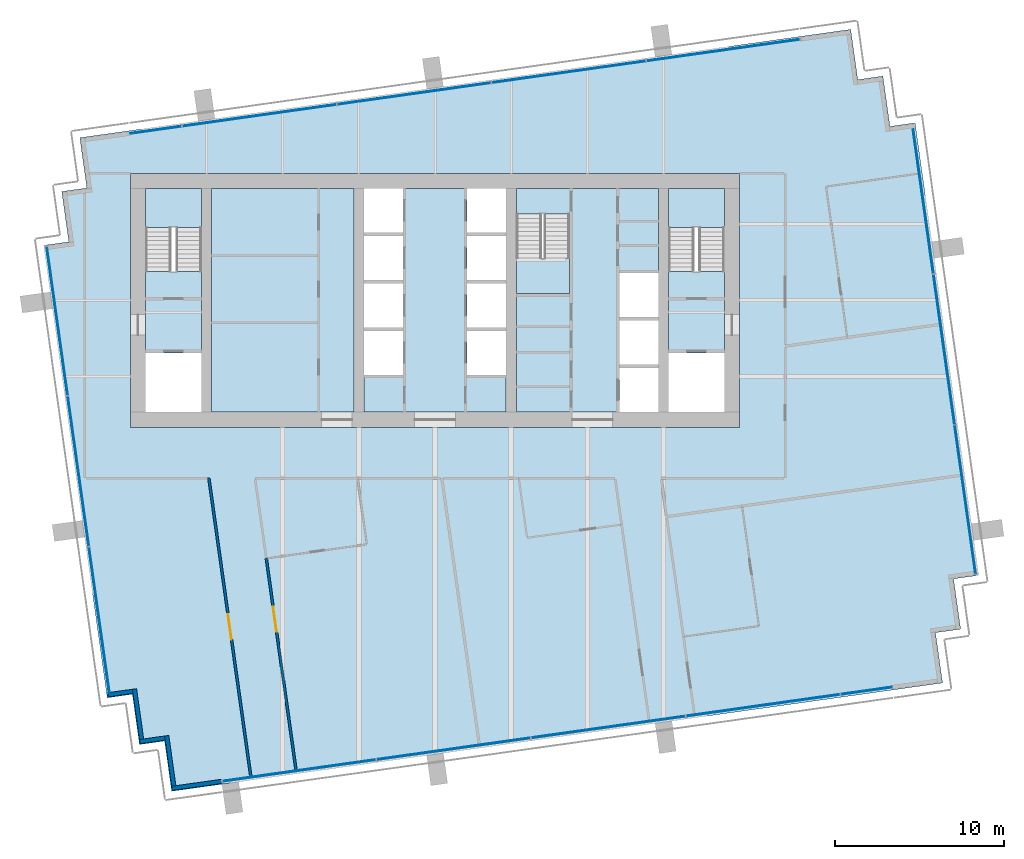
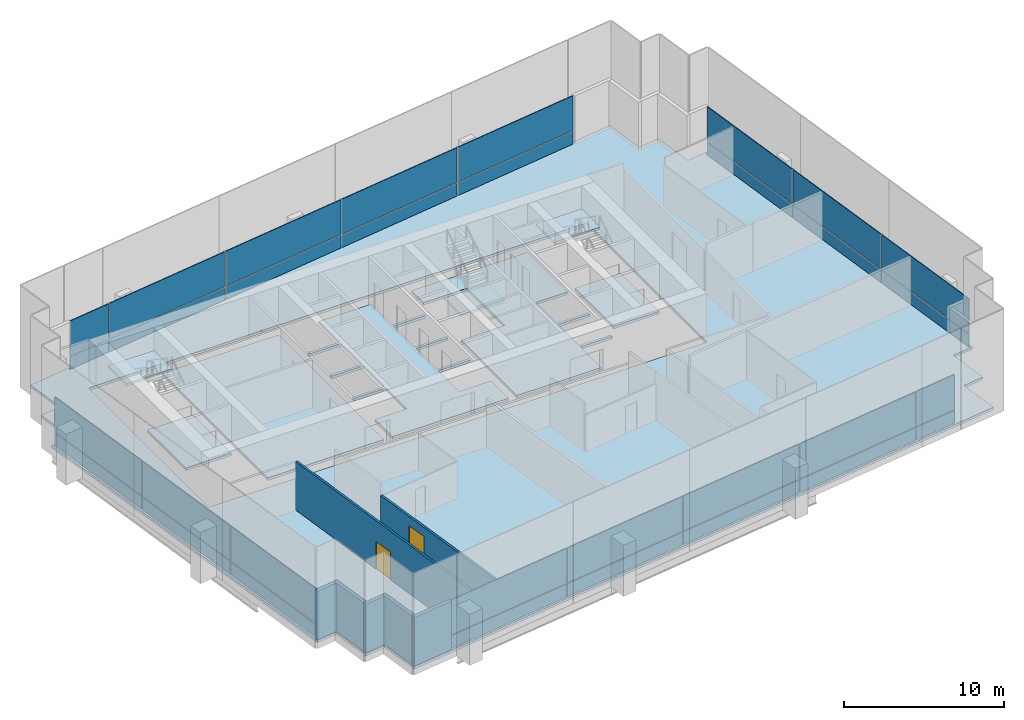
# One storey, part 8 of 17: 32 plates, 9 slabs, 7 walls, 2 doors, 2 openings, 7 elements without a shape of their own.
"""IFC4 building model written with IfcOpenShell, lengths in metres."""

from ifc_helpers import new_model, si_unit, direction, frame, frame_2d, origin, origin_2d, place, context, subcontext, project, spatial, polyline, rectangle, outline, extrude, material, layer, layer_set, type_object, element, fill, aggregate, save


model = new_model("IFC4")

# Units and contexts
model_context = context("Model", 3, precision=1e-05, world=origin(), true_north=direction((0.0, 1.0)))
body_context = subcontext(model_context, "Body", "Model", "MODEL_VIEW")
ifc_project = project(units=[si_unit("LENGTHUNIT", "METRE"), si_unit("AREAUNIT", "SQUARE_METRE"), si_unit("VOLUMEUNIT", "CUBIC_METRE"), si_unit("PLANEANGLEUNIT", "RADIAN"), si_unit("MASSUNIT", "GRAM", prefix="KILO")], contexts=[model_context])

# Site, building, storey
site_placement = place(None, origin())
site = spatial("IfcSite", under=ifc_project, at=site_placement, CompositionType="ELEMENT")
building_placement = place(site_placement, origin())
building = spatial("IfcBuilding", under=site, at=building_placement, Name="Rattan Terrace Tower", CompositionType="ELEMENT")
storey_placement = place(building_placement, frame((0.0, 0.0, 236.89990234375)))
storey = spatial("IfcBuildingStorey", under=building, at=storey_placement, Name="L54", CompositionType="ELEMENT", Elevation=236.89990234375)

# Stair, slab
ifc_material_1 = material(Name="Concrete C40/50", Category="concrete")
stair_type = type_object("IfcStairType", Name="Core exit stair 1500", PredefinedType="HALF_TURN_STAIR", material=ifc_material_1)
stair_1_placement = place(storey_placement, origin())
stair_1 = element("IfcStair", 1, at=stair_1_placement, inside=storey, type_object=stair_type, Name="L54 exit stair 1", PredefinedType="HALF_TURN_STAIR")
ifc_material_2 = material(Name="Concrete C40/50", Category="concrete")
ifc_layer_1 = layer(ifc_material_2, 0.199951171875)
ifc_layer_set_1 = layer_set([ifc_layer_1], Name="Core exit stair landing")
slab_type_1 = type_object("IfcSlabType", Name="Core exit stair landing", PredefinedType="LANDING", material=ifc_layer_set_1)
slab_1_placement = place(storey_placement, frame((0.0, 0.0, 1.75)))
slab_1 = element("IfcSlab", 2, at=slab_1_placement, type_object=slab_type_1, Name="S1 landing 1", PredefinedType="LANDING", context=body_context, shape_type="SweptSolid", body=[
    extrude(outline(polyline([(-13.800048828125, 4.300048828125), (-13.800048828125, 6.60009765625), (-17.10009765625, 6.60009765625), (-17.10009765625, 4.300048828125), (-13.800048828125, 4.300048828125)])), origin(), (0.0, 0.0, 1.0), 0.2001953125),
])
aggregate(stair_1, [slab_1])

stair_2_placement = place(storey_placement, origin())
stair_2 = element("IfcStair", 3, at=stair_2_placement, inside=storey, type_object=stair_type, Name="L54 exit stair 2", PredefinedType="HALF_TURN_STAIR")
slab_2_placement = place(storey_placement, frame((0.0, 0.0, 1.75)))
slab_2 = element("IfcSlab", 4, at=slab_2_placement, type_object=slab_type_1, Name="S2 landing 1", PredefinedType="LANDING", context=body_context, shape_type="SweptSolid", body=[
    extrude(outline(polyline([(17.10009765625, 4.300048828125), (17.10009765625, 6.60009765625), (13.800048828125, 6.60009765625), (13.800048828125, 4.300048828125), (17.10009765625, 4.300048828125)])), origin(), (0.0, 0.0, 1.0), 0.2001953125),
])
aggregate(stair_2, [slab_2])

stair_3_placement = place(storey_placement, origin())
stair_3 = element("IfcStair", 5, at=stair_3_placement, inside=storey, type_object=stair_type, Name="L54 exit stair 3", PredefinedType="HALF_TURN_STAIR")
slab_3_placement = place(storey_placement, frame((0.0, 0.0, 1.75)))
slab_3 = element("IfcSlab", 6, at=slab_3_placement, type_object=slab_type_1, Name="S3 landing 1", PredefinedType="LANDING", context=body_context, shape_type="SweptSolid", body=[
    extrude(outline(polyline([(4.800048828125, 2.5), (4.800048828125, 0.39990234375), (7.949951171875, 0.39990234375), (7.949951171875, 2.5), (4.800048828125, 2.5)])), origin(), (0.0, 0.0, 1.0), 0.2001953125),
])
aggregate(stair_3, [slab_3])

# Slabs
ifc_material_3 = material(Name="Concrete C35/45", Category="concrete")
ifc_layer_2 = layer(ifc_material_3, 0.199951171875)
ifc_layer_set_2 = layer_set([ifc_layer_2], Name="Frame composite floor slab 200")
slab_type_2 = type_object("IfcSlabType", Name="Frame composite floor slab 200", PredefinedType="FLOOR", material=ifc_layer_set_2)
slab_4_placement = place(storey_placement, frame((0.0, 0.0, -0.199951171875)))
element("IfcSlab", 7, at=slab_4_placement, inside=storey, type_object=slab_type_2, Name="Floor slab", PredefinedType="FLOOR", context=body_context, shape_type="SweptSolid", body=[
    extrude(outline(polyline([(-12.591064453125, -28.593994140625), (27.01904296875, -23.027099609375), (29.989990234375, -22.60888671875), (29.572998046875, -19.637939453125), (31.05810546875, -19.429931640625), (30.639892578125, -16.458984375), (32.1259765625, -16.25), (28.367919921875, 10.487060546875), (26.883056640625, 10.278076171875), (26.465087890625, 13.2490234375), (24.97998046875, 13.0400390625), (24.56201171875, 16.010986328125), (21.591064453125, 15.593994140625), (-18.01904296875, 10.027099609375), (-20.989990234375, 9.60888671875), (-20.572998046875, 6.637939453125), (-22.05810546875, 6.429931640625), (-21.639892578125, 3.458984375), (-23.1259765625, 3.25), (-19.367919921875, -23.487060546875), (-17.883056640625, -23.278076171875), (-17.465087890625, -26.2490234375), (-15.97998046875, -26.0400390625), (-15.56201171875, -29.010986328125), (-12.591064453125, -28.593994140625)]), holes=[polyline([(-18.0, -7.5), (18.0, -7.5), (18.0, -6.60009765625), (18.0, 6.60009765625), (18.0, 7.5), (-18.0, 7.5), (-18.0, 6.60009765625), (-18.0, -6.60009765625), (-18.0, -7.5)])]), origin(), (0.0, 0.0, 1.0), 0.199951171875),
])
slab_5_placement = place(storey_placement, frame((0.0, 0.0, -0.199951171875)))
element("IfcSlab", 8, at=slab_5_placement, inside=storey, type_object=slab_type_2, Name="Floor slab", PredefinedType="FLOOR", context=body_context, shape_type="SweptSolid", body=[
    extrude(outline(polyline([(13.199951171875, 6.60009765625), (4.800048828125, 6.60009765625), (4.800048828125, 5.090087890625), (7.949951171875, 5.090087890625), (7.949951171875, 0.39990234375), (4.800048828125, 0.39990234375), (4.800048828125, -6.60009765625), (10.89990234375, -6.60009765625), (10.89990234375, -4.0), (13.199951171875, -4.0), (13.199951171875, -3.800048828125), (10.89990234375, -3.800048828125), (10.89990234375, -1.199951171875), (13.199951171875, -1.199951171875), (13.199951171875, -1.0), (10.89990234375, -1.0), (10.89990234375, 1.60009765625), (13.199951171875, 1.60009765625), (13.199951171875, 6.60009765625)])), origin(), (0.0, 0.0, 1.0), 0.199951171875),
])
slab_6_placement = place(storey_placement, frame((0.0, 0.0, -0.199951171875)))
element("IfcSlab", 9, at=slab_6_placement, inside=storey, type_object=slab_type_2, Name="Floor slab", PredefinedType="FLOOR", context=body_context, shape_type="SweptSolid", body=[
    extrude(outline(polyline([(1.89990234375, 6.60009765625), (-1.89990234375, 6.60009765625), (-1.89990234375, 4.0), (-4.199951171875, 4.0), (-4.199951171875, 3.800048828125), (-1.89990234375, 3.800048828125), (-1.89990234375, 1.199951171875), (-4.199951171875, 1.199951171875), (-4.199951171875, 1.0), (-1.89990234375, 1.0), (-1.89990234375, -1.60009765625), (-4.199951171875, -1.60009765625), (-4.199951171875, -1.800048828125), (-1.89990234375, -1.800048828125), (-1.89990234375, -4.39990234375), (-4.199951171875, -4.39990234375), (-4.199951171875, -6.60009765625), (4.199951171875, -6.60009765625), (4.199951171875, -4.39990234375), (1.89990234375, -4.39990234375), (1.89990234375, -1.800048828125), (4.199951171875, -1.800048828125), (4.199951171875, -1.60009765625), (1.89990234375, -1.60009765625), (1.89990234375, 1.0), (4.199951171875, 1.0), (4.199951171875, 1.199951171875), (1.89990234375, 1.199951171875), (1.89990234375, 3.800048828125), (4.199951171875, 3.800048828125), (4.199951171875, 4.0), (1.89990234375, 4.0), (1.89990234375, 6.60009765625)])), origin(), (0.0, 0.0, 1.0), 0.199951171875),
])
slab_7_placement = place(storey_placement, frame((0.0, 0.0, -0.199951171875)))
element("IfcSlab", 10, at=slab_7_placement, inside=storey, type_object=slab_type_2, Name="Floor slab", PredefinedType="FLOOR", context=body_context, shape_type="SweptSolid", body=[
    extrude(outline(polyline([(-17.10009765625, -3.10009765625), (-13.800048828125, -3.10009765625), (-13.800048828125, 1.7099609375), (-17.10009765625, 1.7099609375), (-17.10009765625, -3.10009765625)])), origin(), (0.0, 0.0, 1.0), 0.199951171875),
])
slab_8_placement = place(storey_placement, frame((0.0, 0.0, -0.199951171875)))
element("IfcSlab", 11, at=slab_8_placement, inside=storey, type_object=slab_type_2, Name="Floor slab", PredefinedType="FLOOR", context=body_context, shape_type="SweptSolid", body=[
    extrude(outline(polyline([(-4.800048828125, -6.60009765625), (-4.800048828125, 6.60009765625), (-13.199951171875, 6.60009765625), (-13.199951171875, -6.60009765625), (-4.800048828125, -6.60009765625)])), origin(), (0.0, 0.0, 1.0), 0.199951171875),
])
slab_9_placement = place(storey_placement, frame((0.0, 0.0, -0.199951171875)))
element("IfcSlab", 12, at=slab_9_placement, inside=storey, type_object=slab_type_2, Name="Floor slab", PredefinedType="FLOOR", context=body_context, shape_type="SweptSolid", body=[
    extrude(outline(polyline([(13.800048828125, -3.10009765625), (17.10009765625, -3.10009765625), (17.10009765625, 1.7099609375), (13.800048828125, 1.7099609375), (13.800048828125, -3.10009765625)])), origin(), (0.0, 0.0, 1.0), 0.199951171875),
])

# Curtain wall, plates
ifc_material_4 = material(Name="Aluminium and laminated glass", Category="aluminium")
ifc_layer_3 = layer(ifc_material_4, 0.199951171875)
ifc_layer_set_3 = layer_set([ifc_layer_3], Name="High-Zone Unitised Curtain Wall")
curtain_wall_type = type_object("IfcCurtainWallType", Name="High-Zone Unitised Curtain Wall", PredefinedType="NOTDEFINED", material=ifc_layer_set_3)
curtain_wall_1_placement = place(storey_placement, origin())
curtain_wall_1 = element("IfcCurtainWall", 13, at=curtain_wall_1_placement, inside=storey, type_object=curtain_wall_type, Name="High-zone curtain wall L54-1", PredefinedType="NOTDEFINED")
ifc_material_5 = material(Name="Aluminium insulated spandrel panel", Category="aluminium")
ifc_layer_4 = layer(ifc_material_5, 0.050048828125)
ifc_layer_set_4 = layer_set([ifc_layer_4], Name="High-Zone CW Spandrel Panel")
plate_type_1 = type_object("IfcPlateType", Name="High-Zone CW Spandrel Panel", PredefinedType="CURTAIN_PANEL", material=ifc_layer_set_4)
plate_1_placement = place(storey_placement, frame((31.32568359375, -11.77783203125, 0.0), z_axis=(0.0, 0.0, 1.0), x_axis=(-0.139186165309, 0.990266232579, 0.0)))
plate_1 = element("IfcPlate", 14, at=plate_1_placement, type_object=plate_type_1, Name="Panel cwl-L54-001.1.1", PredefinedType="CURTAIN_PANEL", context=body_context, shape_type="SweptSolid", body=[
    extrude(rectangle(XDim=8.85009765625, YDim=0.050048828125, at=origin_2d()), origin(), (0.0, 0.0, 1.0), 0.965087890625),
])
plate_2_placement = place(storey_placement, frame((31.32568359375, -11.77783203125, 1.03515625), z_axis=(0.0, 0.0, 1.0), x_axis=(-0.139186165309, 0.990266232579, 0.0)))
plate_2 = element("IfcPlate", 15, at=plate_2_placement, type_object=plate_type_1, Name="Panel cwl-L54-001.1.2", PredefinedType="CURTAIN_PANEL", context=body_context, shape_type="SweptSolid", body=[
    extrude(rectangle(XDim=8.85009765625, YDim=0.050048828125, at=origin_2d()), origin(), (0.0, 0.0, 1.0), 2.6650390625),
])
plate_3_placement = place(storey_placement, frame((30.07861328125, -2.905029296875, 0.0), z_axis=(0.0, 0.0, 1.0), x_axis=(-0.139186165309, 0.990266232579, 0.0)))
plate_3 = element("IfcPlate", 16, at=plate_3_placement, type_object=plate_type_1, Name="Panel cwl-L54-001.2.1", PredefinedType="CURTAIN_PANEL", context=body_context, shape_type="SweptSolid", body=[
    extrude(rectangle(XDim=8.929931640625, YDim=0.050048828125, at=origin_2d()), origin(), (0.0, 0.0, 1.0), 0.965087890625),
])
plate_4_placement = place(storey_placement, frame((28.843994140625, 5.87841796875, 0.0), z_axis=(0.0, 0.0, 1.0), x_axis=(-0.139186165309, 0.990266232579, 0.0)))
plate_4 = element("IfcPlate", 17, at=plate_4_placement, type_object=plate_type_1, Name="Panel cwl-L54-001.3.1", PredefinedType="CURTAIN_PANEL", context=body_context, shape_type="SweptSolid", body=[
    extrude(rectangle(XDim=8.669677734375, YDim=0.050048828125, at=origin_2d()), origin(), (0.0, 0.0, 1.0), 0.965087890625),
])

curtain_wall_2_placement = place(storey_placement, origin())
curtain_wall_2 = element("IfcCurtainWall", 18, at=curtain_wall_2_placement, inside=storey, type_object=curtain_wall_type, Name="High-zone curtain wall L54-2", PredefinedType="NOTDEFINED")
plate_5_placement = place(storey_placement, frame((17.02685546875, 14.78076171875, 0.0), z_axis=(0.0, 0.0, 1.0), x_axis=(-0.990267457022, -0.139177453499, 0.0)))
plate_5 = element("IfcPlate", 19, at=plate_5_placement, type_object=plate_type_1, Name="Panel cwl-L54-002.1.1", PredefinedType="CURTAIN_PANEL", context=body_context, shape_type="SweptSolid", body=[
    extrude(rectangle(XDim=9.1259765625, YDim=0.050048828125, at=origin_2d()), origin(), (0.0, 0.0, 1.0), 0.965087890625),
])
plate_6_placement = place(storey_placement, frame((7.90283203125, 13.49853515625, 0.0), z_axis=(0.0, 0.0, 1.0), x_axis=(-0.990267457022, -0.139177453499, 0.0)))
plate_6 = element("IfcPlate", 20, at=plate_6_placement, type_object=plate_type_1, Name="Panel cwl-L54-002.2.1", PredefinedType="CURTAIN_PANEL", context=body_context, shape_type="SweptSolid", body=[
    extrude(rectangle(XDim=9.160888671875, YDim=0.050048828125, at=origin_2d()), origin(), (0.0, 0.0, 1.0), 0.965087890625),
])
plate_7_placement = place(storey_placement, frame((-1.23828125, 12.2138671875, 0.0), z_axis=(0.0, 0.0, 1.0), x_axis=(-0.990267457022, -0.139177453499, 0.0)))
plate_7 = element("IfcPlate", 21, at=plate_7_placement, type_object=plate_type_1, Name="Panel cwl-L54-002.3.1", PredefinedType="CURTAIN_PANEL", context=body_context, shape_type="SweptSolid", body=[
    extrude(rectangle(XDim=9.160888671875, YDim=0.050048828125, at=origin_2d()), origin(), (0.0, 0.0, 1.0), 0.965087890625),
])
plate_8_placement = place(storey_placement, frame((-10.37939453125, 10.928955078125, 0.0), z_axis=(0.0, 0.0, 1.0), x_axis=(-0.990267457022, -0.139177453499, 0.0)))
plate_8 = element("IfcPlate", 22, at=plate_8_placement, type_object=plate_type_1, Name="Panel cwl-L54-002.4.1", PredefinedType="CURTAIN_PANEL", context=body_context, shape_type="SweptSolid", body=[
    extrude(rectangle(XDim=9.160888671875, YDim=0.050048828125, at=origin_2d()), origin(), (0.0, 0.0, 1.0), 0.965087890625),
])
plate_9_placement = place(storey_placement, frame((-16.489990234375, 10.0703125, 0.0), z_axis=(0.0, 0.0, 1.0), x_axis=(-0.990267457022, -0.139177453499, 0.0)))
plate_9 = element("IfcPlate", 23, at=plate_9_placement, type_object=plate_type_1, Name="Panel cwl-L54-002.5.1", PredefinedType="CURTAIN_PANEL", context=body_context, shape_type="SweptSolid", body=[
    extrude(rectangle(XDim=3.040283203125, YDim=0.050048828125, at=origin_2d()), origin(), (0.0, 0.0, 1.0), 0.965087890625),
])

curtain_wall_3_placement = place(storey_placement, origin())
curtain_wall_3 = element("IfcCurtainWall", 24, at=curtain_wall_3_placement, inside=storey, type_object=curtain_wall_type, Name="High-zone curtain wall L54-3", PredefinedType="NOTDEFINED")
plate_10_placement = place(storey_placement, frame((-22.32568359375, -1.22216796875, 0.0), z_axis=(0.0, 0.0, 1.0), x_axis=(0.139186165309, -0.990266232579, 0.0)))
plate_10 = element("IfcPlate", 25, at=plate_10_placement, type_object=plate_type_1, Name="Panel cwl-L54-003.1.1", PredefinedType="CURTAIN_PANEL", context=body_context, shape_type="SweptSolid", body=[
    extrude(rectangle(XDim=8.85009765625, YDim=0.050048828125, at=origin_2d()), origin(), (0.0, 0.0, 1.0), 0.965087890625),
])
plate_11_placement = place(storey_placement, frame((-21.07861328125, -10.094970703125, 0.0), z_axis=(0.0, 0.0, 1.0), x_axis=(0.139186165309, -0.990266232579, 0.0)))
plate_11 = element("IfcPlate", 26, at=plate_11_placement, type_object=plate_type_1, Name="Panel cwl-L54-003.2.1", PredefinedType="CURTAIN_PANEL", context=body_context, shape_type="SweptSolid", body=[
    extrude(rectangle(XDim=8.929931640625, YDim=0.050048828125, at=origin_2d()), origin(), (0.0, 0.0, 1.0), 0.965087890625),
])
plate_12_placement = place(storey_placement, frame((-19.843994140625, -18.87841796875, 0.0), z_axis=(0.0, 0.0, 1.0), x_axis=(0.139186165309, -0.990266232579, 0.0)))
plate_12 = element("IfcPlate", 27, at=plate_12_placement, type_object=plate_type_1, Name="Panel cwl-L54-003.3.1", PredefinedType="CURTAIN_PANEL", context=body_context, shape_type="SweptSolid", body=[
    extrude(rectangle(XDim=8.669677734375, YDim=0.050048828125, at=origin_2d()), origin(), (0.0, 0.0, 1.0), 0.965087890625),
])

curtain_wall_4_placement = place(storey_placement, origin())
curtain_wall_4 = element("IfcCurtainWall", 28, at=curtain_wall_4_placement, inside=storey, type_object=curtain_wall_type, Name="High-zone curtain wall L54-4", PredefinedType="NOTDEFINED")
plate_13_placement = place(storey_placement, frame((-8.02685546875, -27.78076171875, 0.0), z_axis=(0.0, 0.0, 1.0), x_axis=(0.990267457022, 0.139177453499, 0.0)))
plate_13 = element("IfcPlate", 29, at=plate_13_placement, type_object=plate_type_1, Name="Panel cwl-L54-004.1.1", PredefinedType="CURTAIN_PANEL", context=body_context, shape_type="SweptSolid", body=[
    extrude(rectangle(XDim=9.1259765625, YDim=0.050048828125, at=origin_2d()), origin(), (0.0, 0.0, 1.0), 0.965087890625),
])
plate_14_placement = place(storey_placement, frame((1.09716796875, -26.49853515625, 0.0), z_axis=(0.0, 0.0, 1.0), x_axis=(0.990267457022, 0.139177453499, 0.0)))
plate_14 = element("IfcPlate", 30, at=plate_14_placement, type_object=plate_type_1, Name="Panel cwl-L54-004.2.1", PredefinedType="CURTAIN_PANEL", context=body_context, shape_type="SweptSolid", body=[
    extrude(rectangle(XDim=9.160888671875, YDim=0.050048828125, at=origin_2d()), origin(), (0.0, 0.0, 1.0), 0.965087890625),
])
plate_15_placement = place(storey_placement, frame((10.23828125, -25.2138671875, 0.0), z_axis=(0.0, 0.0, 1.0), x_axis=(0.990267457022, 0.139177453499, 0.0)))
plate_15 = element("IfcPlate", 31, at=plate_15_placement, type_object=plate_type_1, Name="Panel cwl-L54-004.3.1", PredefinedType="CURTAIN_PANEL", context=body_context, shape_type="SweptSolid", body=[
    extrude(rectangle(XDim=9.160888671875, YDim=0.050048828125, at=origin_2d()), origin(), (0.0, 0.0, 1.0), 0.965087890625),
])
plate_16_placement = place(storey_placement, frame((19.37939453125, -23.928955078125, 0.0), z_axis=(0.0, 0.0, 1.0), x_axis=(0.990267457022, 0.139177453499, 0.0)))
plate_16 = element("IfcPlate", 32, at=plate_16_placement, type_object=plate_type_1, Name="Panel cwl-L54-004.4.1", PredefinedType="CURTAIN_PANEL", context=body_context, shape_type="SweptSolid", body=[
    extrude(rectangle(XDim=9.160888671875, YDim=0.050048828125, at=origin_2d()), origin(), (0.0, 0.0, 1.0), 0.965087890625),
])
plate_17_placement = place(storey_placement, frame((25.489990234375, -23.0703125, 0.0), z_axis=(0.0, 0.0, 1.0), x_axis=(0.990267457022, 0.139177453499, 0.0)))
plate_17 = element("IfcPlate", 33, at=plate_17_placement, type_object=plate_type_1, Name="Panel cwl-L54-004.5.1", PredefinedType="CURTAIN_PANEL", context=body_context, shape_type="SweptSolid", body=[
    extrude(rectangle(XDim=3.040283203125, YDim=0.050048828125, at=origin_2d()), origin(), (0.0, 0.0, 1.0), 0.965087890625),
])

# Plate
ifc_material_6 = material(Name="Laminated low-iron glass", Category="glass")
ifc_layer_5 = layer(ifc_material_6, 0.055908203125)
ifc_layer_set_5 = layer_set([ifc_layer_5], Name="High-Zone CW Vision Panel")
plate_type_2 = type_object("IfcPlateType", Name="High-Zone CW Vision Panel", PredefinedType="CURTAIN_PANEL", material=ifc_layer_set_5)
plate_18_placement = place(storey_placement, frame((30.07861328125, -2.905029296875, 1.03515625), z_axis=(0.0, 0.0, 1.0), x_axis=(-0.139186165309, 0.990266232579, 0.0)))
plate_18 = element("IfcPlate", 34, at=plate_18_placement, type_object=plate_type_2, Name="Panel cwl-L54-001.2.2", PredefinedType="CURTAIN_PANEL", context=body_context, shape_type="SweptSolid", body=[
    extrude(rectangle(XDim=8.929931640625, YDim=0.055908203125, at=origin_2d()), origin(), (0.0, 0.0, 1.0), 2.6650390625),
])

plate_19_placement = place(storey_placement, frame((28.843994140625, 5.87841796875, 1.03515625), z_axis=(0.0, 0.0, 1.0), x_axis=(-0.139186165309, 0.990266232579, 0.0)))
plate_19 = element("IfcPlate", 35, at=plate_19_placement, type_object=plate_type_2, Name="Panel cwl-L54-001.3.2", PredefinedType="CURTAIN_PANEL", context=body_context, shape_type="SweptSolid", body=[
    extrude(rectangle(XDim=8.669677734375, YDim=0.055908203125, at=origin_2d()), origin(), (0.0, 0.0, 1.0), 2.6650390625),
])

aggregate(curtain_wall_1, [plate_1, plate_2, plate_3, plate_18, plate_4, plate_19])

plate_20_placement = place(storey_placement, frame((17.02685546875, 14.78076171875, 1.03515625), z_axis=(0.0, 0.0, 1.0), x_axis=(-0.990267457022, -0.139177453499, 0.0)))
plate_20 = element("IfcPlate", 36, at=plate_20_placement, type_object=plate_type_2, Name="Panel cwl-L54-002.1.2", PredefinedType="CURTAIN_PANEL", context=body_context, shape_type="SweptSolid", body=[
    extrude(rectangle(XDim=9.1259765625, YDim=0.055908203125, at=origin_2d()), origin(), (0.0, 0.0, 1.0), 2.6650390625),
])

plate_21_placement = place(storey_placement, frame((7.90283203125, 13.49853515625, 1.03515625), z_axis=(0.0, 0.0, 1.0), x_axis=(-0.990267457022, -0.139177453499, 0.0)))
plate_21 = element("IfcPlate", 37, at=plate_21_placement, type_object=plate_type_2, Name="Panel cwl-L54-002.2.2", PredefinedType="CURTAIN_PANEL", context=body_context, shape_type="SweptSolid", body=[
    extrude(rectangle(XDim=9.160888671875, YDim=0.055908203125, at=origin_2d()), origin(), (0.0, 0.0, 1.0), 2.6650390625),
])

plate_22_placement = place(storey_placement, frame((-1.23828125, 12.2138671875, 1.03515625), z_axis=(0.0, 0.0, 1.0), x_axis=(-0.990267457022, -0.139177453499, 0.0)))
plate_22 = element("IfcPlate", 38, at=plate_22_placement, type_object=plate_type_2, Name="Panel cwl-L54-002.3.2", PredefinedType="CURTAIN_PANEL", context=body_context, shape_type="SweptSolid", body=[
    extrude(rectangle(XDim=9.160888671875, YDim=0.055908203125, at=origin_2d()), origin(), (0.0, 0.0, 1.0), 2.6650390625),
])

plate_23_placement = place(storey_placement, frame((-10.37939453125, 10.928955078125, 1.03515625), z_axis=(0.0, 0.0, 1.0), x_axis=(-0.990267457022, -0.139177453499, 0.0)))
plate_23 = element("IfcPlate", 39, at=plate_23_placement, type_object=plate_type_2, Name="Panel cwl-L54-002.4.2", PredefinedType="CURTAIN_PANEL", context=body_context, shape_type="SweptSolid", body=[
    extrude(rectangle(XDim=9.160888671875, YDim=0.055908203125, at=origin_2d()), origin(), (0.0, 0.0, 1.0), 2.6650390625),
])

plate_24_placement = place(storey_placement, frame((-16.489990234375, 10.0703125, 1.03515625), z_axis=(0.0, 0.0, 1.0), x_axis=(-0.990267457022, -0.139177453499, 0.0)))
plate_24 = element("IfcPlate", 40, at=plate_24_placement, type_object=plate_type_2, Name="Panel cwl-L54-002.5.2", PredefinedType="CURTAIN_PANEL", context=body_context, shape_type="SweptSolid", body=[
    extrude(rectangle(XDim=3.040283203125, YDim=0.055908203125, at=origin_2d()), origin(), (0.0, 0.0, 1.0), 2.6650390625),
])

aggregate(curtain_wall_2, [plate_5, plate_20, plate_6, plate_21, plate_7, plate_22, plate_8, plate_23, plate_9, plate_24])

plate_25_placement = place(storey_placement, frame((-22.32568359375, -1.22216796875, 1.03515625), z_axis=(0.0, 0.0, 1.0), x_axis=(0.139186165309, -0.990266232579, 0.0)))
plate_25 = element("IfcPlate", 41, at=plate_25_placement, type_object=plate_type_2, Name="Panel cwl-L54-003.1.2", PredefinedType="CURTAIN_PANEL", context=body_context, shape_type="SweptSolid", body=[
    extrude(rectangle(XDim=8.85009765625, YDim=0.055908203125, at=origin_2d()), origin(), (0.0, 0.0, 1.0), 2.6650390625),
])

plate_26_placement = place(storey_placement, frame((-21.07861328125, -10.094970703125, 1.03515625), z_axis=(0.0, 0.0, 1.0), x_axis=(0.139186165309, -0.990266232579, 0.0)))
plate_26 = element("IfcPlate", 42, at=plate_26_placement, type_object=plate_type_2, Name="Panel cwl-L54-003.2.2", PredefinedType="CURTAIN_PANEL", context=body_context, shape_type="SweptSolid", body=[
    extrude(rectangle(XDim=8.929931640625, YDim=0.055908203125, at=origin_2d()), origin(), (0.0, 0.0, 1.0), 2.6650390625),
])

plate_27_placement = place(storey_placement, frame((-19.843994140625, -18.87841796875, 1.03515625), z_axis=(0.0, 0.0, 1.0), x_axis=(0.139186165309, -0.990266232579, 0.0)))
plate_27 = element("IfcPlate", 43, at=plate_27_placement, type_object=plate_type_2, Name="Panel cwl-L54-003.3.2", PredefinedType="CURTAIN_PANEL", context=body_context, shape_type="SweptSolid", body=[
    extrude(rectangle(XDim=8.669677734375, YDim=0.055908203125, at=origin_2d()), origin(), (0.0, 0.0, 1.0), 2.6650390625),
])

aggregate(curtain_wall_3, [plate_10, plate_25, plate_11, plate_26, plate_12, plate_27])

plate_28_placement = place(storey_placement, frame((-8.02685546875, -27.78076171875, 1.03515625), z_axis=(0.0, 0.0, 1.0), x_axis=(0.990267457022, 0.139177453499, 0.0)))
plate_28 = element("IfcPlate", 44, at=plate_28_placement, type_object=plate_type_2, Name="Panel cwl-L54-004.1.2", PredefinedType="CURTAIN_PANEL", context=body_context, shape_type="SweptSolid", body=[
    extrude(rectangle(XDim=9.1259765625, YDim=0.055908203125, at=origin_2d()), origin(), (0.0, 0.0, 1.0), 2.6650390625),
])

plate_29_placement = place(storey_placement, frame((1.09716796875, -26.49853515625, 1.03515625), z_axis=(0.0, 0.0, 1.0), x_axis=(0.990267457022, 0.139177453499, 0.0)))
plate_29 = element("IfcPlate", 45, at=plate_29_placement, type_object=plate_type_2, Name="Panel cwl-L54-004.2.2", PredefinedType="CURTAIN_PANEL", context=body_context, shape_type="SweptSolid", body=[
    extrude(rectangle(XDim=9.160888671875, YDim=0.055908203125, at=origin_2d()), origin(), (0.0, 0.0, 1.0), 2.6650390625),
])

plate_30_placement = place(storey_placement, frame((10.23828125, -25.2138671875, 1.03515625), z_axis=(0.0, 0.0, 1.0), x_axis=(0.990267457022, 0.139177453499, 0.0)))
plate_30 = element("IfcPlate", 46, at=plate_30_placement, type_object=plate_type_2, Name="Panel cwl-L54-004.3.2", PredefinedType="CURTAIN_PANEL", context=body_context, shape_type="SweptSolid", body=[
    extrude(rectangle(XDim=9.160888671875, YDim=0.055908203125, at=origin_2d()), origin(), (0.0, 0.0, 1.0), 2.6650390625),
])

plate_31_placement = place(storey_placement, frame((19.37939453125, -23.928955078125, 1.03515625), z_axis=(0.0, 0.0, 1.0), x_axis=(0.990267457022, 0.139177453499, 0.0)))
plate_31 = element("IfcPlate", 47, at=plate_31_placement, type_object=plate_type_2, Name="Panel cwl-L54-004.4.2", PredefinedType="CURTAIN_PANEL", context=body_context, shape_type="SweptSolid", body=[
    extrude(rectangle(XDim=9.160888671875, YDim=0.055908203125, at=origin_2d()), origin(), (0.0, 0.0, 1.0), 2.6650390625),
])

plate_32_placement = place(storey_placement, frame((25.489990234375, -23.0703125, 1.03515625), z_axis=(0.0, 0.0, 1.0), x_axis=(0.990267457022, 0.139177453499, 0.0)))
plate_32 = element("IfcPlate", 48, at=plate_32_placement, type_object=plate_type_2, Name="Panel cwl-L54-004.5.2", PredefinedType="CURTAIN_PANEL", context=body_context, shape_type="SweptSolid", body=[
    extrude(rectangle(XDim=3.040283203125, YDim=0.055908203125, at=origin_2d()), origin(), (0.0, 0.0, 1.0), 2.6650390625),
])

aggregate(curtain_wall_4, [plate_13, plate_28, plate_14, plate_29, plate_15, plate_30, plate_16, plate_31, plate_17, plate_32])

# Walls
ifc_material_7 = material(Name="Insulated aluminium-clad stud wall", Category="aluminium")
ifc_layer_6 = layer(ifc_material_7, 0.25)
ifc_layer_set_6 = layer_set([ifc_layer_6], Name="Facade Riser Wall 250")
wall_type_1 = type_object("IfcWallType", Name="Facade Riser Wall 250", PredefinedType="SOLIDWALL", material=ifc_layer_set_6)
wall_1_placement = place(storey_placement, frame((-19.322265625, -23.308837890625, 0.0), z_axis=(0.0, 0.0, 1.0), x_axis=(0.990235520307, 0.13940449893, 0.0)))
element("IfcWall", 49, at=wall_1_placement, inside=storey, type_object=wall_type_1, Name="Riser wall L54-16", PredefinedType="SOLIDWALL", context=body_context, shape_type="SweptSolid", body=[
    extrude(rectangle(XDim=1.474609375, YDim=0.25, at=frame_2d((0.7373046875, 0.0))), origin(), (0.0, 0.0, 1.0), 3.7001953125),
])
wall_2_placement = place(storey_placement, frame((-17.755859375, -22.962158203125, 0.0), z_axis=(0.0, 0.0, 1.0), x_axis=(0.139393225799, -0.990237107263, 0.0)))
element("IfcWall", 50, at=wall_2_placement, inside=storey, type_object=wall_type_1, Name="Riser wall L54-17", PredefinedType="SOLIDWALL", context=body_context, shape_type="SweptSolid", body=[
    extrude(rectangle(XDim=3.000244140625, YDim=0.25, at=frame_2d((1.5, 0.0))), origin(), (0.0, 0.0, 1.0), 3.7001953125),
])
wall_3_placement = place(storey_placement, frame((-17.444091796875, -26.074462890625, 0.0), z_axis=(0.0, 0.0, 1.0), x_axis=(0.990240434918, 0.139369584395, 0.0)))
element("IfcWall", 51, at=wall_3_placement, inside=storey, type_object=wall_type_1, Name="Riser wall L54-18", PredefinedType="SOLIDWALL", context=body_context, shape_type="SweptSolid", body=[
    extrude(rectangle(XDim=1.49951171875, YDim=0.25, at=frame_2d((0.749755859375, 0.0))), origin(), (0.0, 0.0, 1.0), 3.7001953125),
])
wall_4_placement = place(storey_placement, frame((-15.852783203125, -25.72412109375, 0.0), z_axis=(0.0, 0.0, 1.0), x_axis=(0.139302206688, -0.990249915532, 0.0)))
element("IfcWall", 52, at=wall_4_placement, inside=storey, type_object=wall_type_1, Name="Riser wall L54-19", PredefinedType="SOLIDWALL", context=body_context, shape_type="SweptSolid", body=[
    extrude(rectangle(XDim=3.00048828125, YDim=0.25, at=frame_2d((1.500244140625, 0.0))), origin(), (0.0, 0.0, 1.0), 3.7001953125),
])
wall_5_placement = place(storey_placement, frame((-15.541015625, -28.83642578125, 0.0), z_axis=(0.0, 0.0, 1.0), x_axis=(0.990285396533, 0.139049751574, 0.0)))
element("IfcWall", 53, at=wall_5_placement, inside=storey, type_object=wall_type_1, Name="Riser wall L54-20", PredefinedType="SOLIDWALL", context=body_context, shape_type="SweptSolid", body=[
    extrude(rectangle(XDim=2.955078125, YDim=0.25, at=frame_2d((1.4775390625, 0.0))), origin(), (0.0, 0.0, 1.0), 3.7001953125),
])

# Wall, opening, door
ifc_material_8 = material(Name="Gypsum board partition on steel studs, fire rated", Category="steel")
ifc_layer_7 = layer(ifc_material_8, 0.14990234375)
ifc_layer_set_7 = layer_set([ifc_layer_7], Name="Floors Tenancy Wall 150")
wall_type_2 = type_object("IfcWallType", Name="Floors Tenancy Wall 150", PredefinedType="PARTITIONING", material=ifc_layer_set_7)
wall_6_placement = place(storey_placement, frame((-10.89111328125, -28.093017578125, 0.0), z_axis=(0.0, 0.0, 1.0), x_axis=(-0.139139234553, 0.990272827764, 0.0)))
wall_6 = element("IfcWall", 54, at=wall_6_placement, inside=storey, type_object=wall_type_2, Name="pt-L54-003", PredefinedType="PARTITIONING", context=body_context, shape_type="SweptSolid", body=[
    extrude(rectangle(XDim=17.765869140625, YDim=0.14990234375, at=frame_2d((8.8828125, 0.0))), origin(), (0.0, 0.0, 1.0), 3.7001953125),
])
opening_1_placement = place(wall_6_placement, frame((8.133056640625, 0.0, 0.0)))
opening_1 = element("IfcOpeningElement", 55, at=opening_1_placement, cuts=wall_6, Name="Opening L54-D100", PredefinedType="OPENING", context=body_context, shape_type="SweptSolid", body=[
    extrude(rectangle(XDim=1.5, YDim=2.10009765625, at=frame_2d((0.75, 1.050048828125))), frame((0.0, 0.08544921875, 0.0), z_axis=(0.0, -1.0, 0.0), x_axis=(1.0, 0.0, 0.0)), (0.0, 0.0, 1.0), 0.1708984375),
])
ifc_material_9 = material(Name="Steel fire door set", Category="steel")
door_type = type_object("IfcDoorType", Name="Floors Unit Door Pair FD30S 1500x2100", OperationType="NOTDEFINED", PredefinedType="DOOR", material=ifc_material_9)
door_1_placement = place(opening_1_placement, origin())
door_1 = element("IfcDoor", 56, at=door_1_placement, inside=storey, type_object=door_type, Name="d-L54-100", OperationType="DOUBLE_DOOR_SINGLE_SWING", OverallHeight=2.10009765625, OverallWidth=1.5, PredefinedType="DOOR", context=body_context, shape_type="SweptSolid", body=[
    extrude(rectangle(XDim=1.5, YDim=2.10009765625, at=frame_2d((0.75, 1.050048828125))), frame((0.0, 0.02490234375, 0.0), z_axis=(0.0, -1.0, 0.0), x_axis=(1.0, 0.0, 0.0)), (0.0, 0.0, 1.0), 0.050048828125),
])
fill(opening_1, door_1)

wall_7_placement = place(storey_placement, frame((-9.971923828125, -15.23291015625, 0.0), z_axis=(0.0, 0.0, 1.0), x_axis=(0.139200531242, -0.990264213279, 0.0)))
wall_7 = element("IfcWall", 57, at=wall_7_placement, inside=storey, type_object=wall_type_2, Name="pt-L54-012", PredefinedType="PARTITIONING", context=body_context, shape_type="SweptSolid", body=[
    extrude(rectangle(XDim=12.60693359375, YDim=0.14990234375, at=frame_2d((6.303466796875, 0.0))), origin(), (0.0, 0.0, 1.0), 2.800048828125),
])
opening_2_placement = place(wall_7_placement, frame((2.90087890625, 0.0, 0.0)))
opening_2 = element("IfcOpeningElement", 58, at=opening_2_placement, cuts=wall_7, Name="Opening L54-D106", PredefinedType="OPENING", context=body_context, shape_type="SweptSolid", body=[
    extrude(rectangle(XDim=1.5, YDim=2.10009765625, at=frame_2d((0.75, 1.050048828125))), frame((0.0, 0.08544921875, 0.0), z_axis=(0.0, -1.0, 0.0), x_axis=(1.0, 0.0, 0.0)), (0.0, 0.0, 1.0), 0.1708984375),
])
door_2_placement = place(opening_2_placement, origin())
door_2 = element("IfcDoor", 59, at=door_2_placement, inside=storey, type_object=door_type, Name="d-L54-106", OperationType="DOUBLE_DOOR_SINGLE_SWING", OverallHeight=2.10009765625, OverallWidth=1.5, PredefinedType="DOOR", context=body_context, shape_type="SweptSolid", body=[
    extrude(rectangle(XDim=1.5, YDim=2.10009765625, at=frame_2d((0.75, 1.050048828125))), frame((0.0, 0.02490234375, 0.0), z_axis=(0.0, -1.0, 0.0), x_axis=(1.0, 0.0, 0.0)), (0.0, 0.0, 1.0), 0.050048828125),
])
fill(opening_2, door_2)

save(model, "model.ifc")
